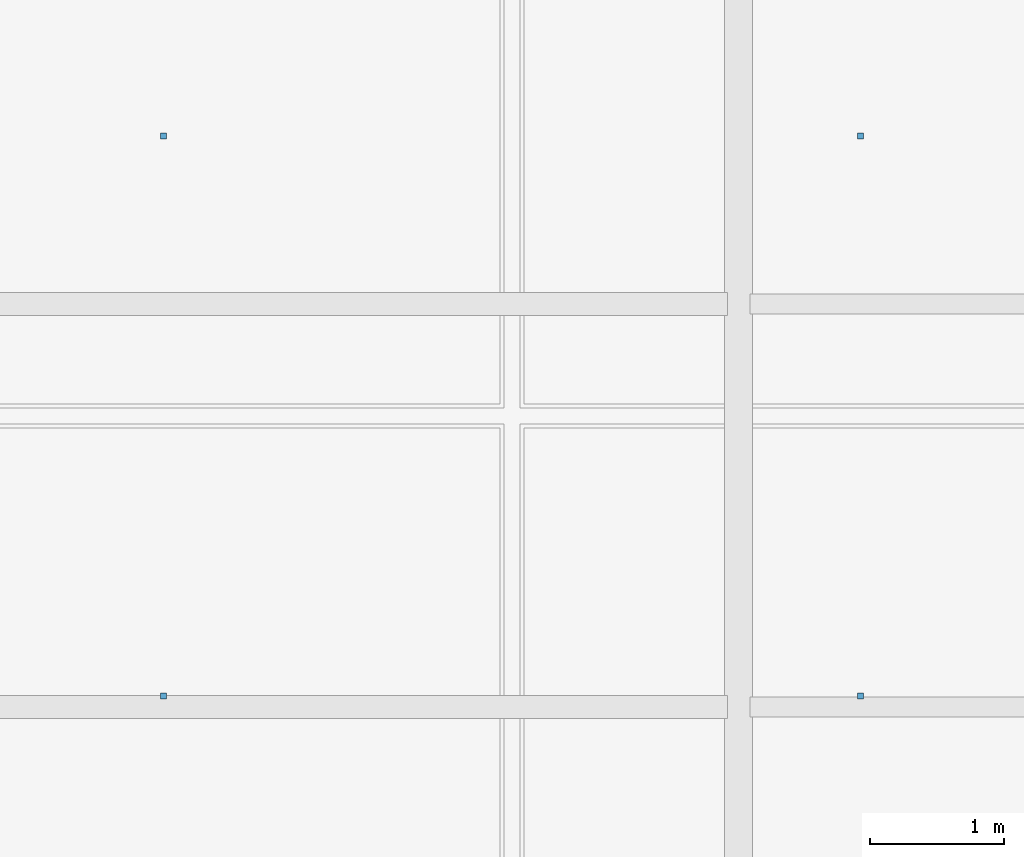
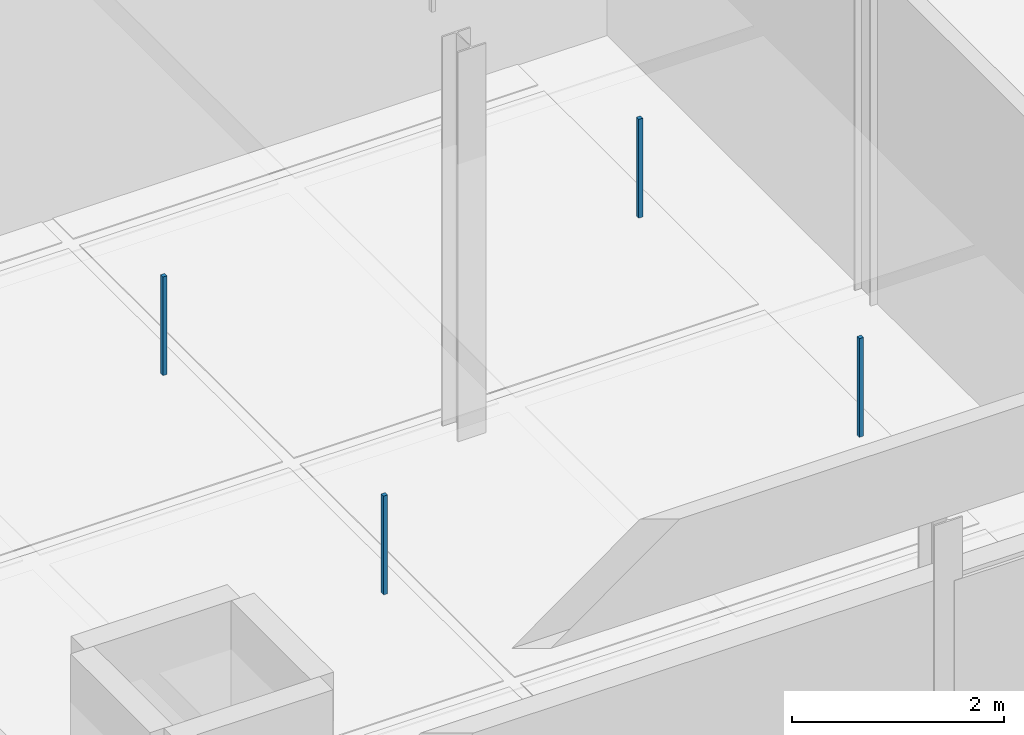
# One storey, part 64 of 89: 4 discrete accessories.
"""IFC4 building model written with IfcOpenShell, lengths in metres."""

from ifc_helpers import new_model, si_unit, direction, frame, origin, origin_2d, place, context, subcontext, project, spatial, rectangle, extrude, material, type_object, element, save


model = new_model("IFC4")

# Units and contexts
model_context = context("Model", 3, precision=1e-05, world=origin(), true_north=direction((0.0, 1.0)))
body_context = subcontext(model_context, "Body", "Model", "MODEL_VIEW")
ifc_project = project(units=[si_unit("LENGTHUNIT", "METRE"), si_unit("AREAUNIT", "SQUARE_METRE"), si_unit("VOLUMEUNIT", "CUBIC_METRE"), si_unit("PLANEANGLEUNIT", "RADIAN"), si_unit("MASSUNIT", "GRAM", prefix="KILO"), si_unit("THERMODYNAMICTEMPERATUREUNIT", "KELVIN"), si_unit("POWERUNIT", "WATT")], contexts=[model_context])

# Site, building, storey
site_placement = place(None, origin())
site = spatial("IfcSite", under=ifc_project, at=site_placement, CompositionType="ELEMENT")
building_placement = place(site_placement, origin())
building = spatial("IfcBuilding", under=site, at=building_placement, Name="Tallowbark Science Centre", CompositionType="ELEMENT")
storey_placement = place(building_placement, frame((0.0, 0.0, 14.39990234375)))
storey = spatial("IfcBuildingStorey", under=building, at=storey_placement, Name="L03", CompositionType="ELEMENT", Elevation=14.39990234375)

# Discrete accessories
ifc_material = material(Name="Galvanised Steel Grade C350L0 (350 MPa)", Category="steel")
discrete_accessory_type = type_object("IfcDiscreteAccessoryType", Name="ACC-CLG-HNG", PredefinedType="BRACKET", material=ifc_material)
for number, where, z_axis, x_axis, name in (
    (1, (103.71875, 75.083251953125, 3.205078125), (0.0, 0.0, 1.0), (1.0, 0.0, 0.0), "Ceiling Hanger Bracket L03-1021"),
    (2, (103.71875, 79.25, 3.205078125), (0.0, 0.0, 1.0), (1.0, 0.0, 0.0), "Ceiling Hanger Bracket L03-1022"),
    (3, (108.90625, 75.083251953125, 3.205078125), (0.0, 0.0, 1.0), (1.0, 0.0, 0.0), "Ceiling Hanger Bracket L03-1027"),
    (4, (108.90625, 79.25, 3.205078125), (0.0, 0.0, 1.0), (1.0, 0.0, 0.0), "Ceiling Hanger Bracket L03-1028"),
):
    element("IfcDiscreteAccessory", number, at=place(storey_placement, frame(where, z_axis=z_axis, x_axis=x_axis)), inside=storey, type_object=discrete_accessory_type, Name=name, PredefinedType="BRACKET", context=body_context, shape_type="SweptSolid", body=[
        extrude(rectangle(XDim=0.044921875, YDim=0.044921875, at=origin_2d()), origin(), (0.0, 0.0, 1.0), 1.137939453125),
    ])

save(model, "model.ifc")
